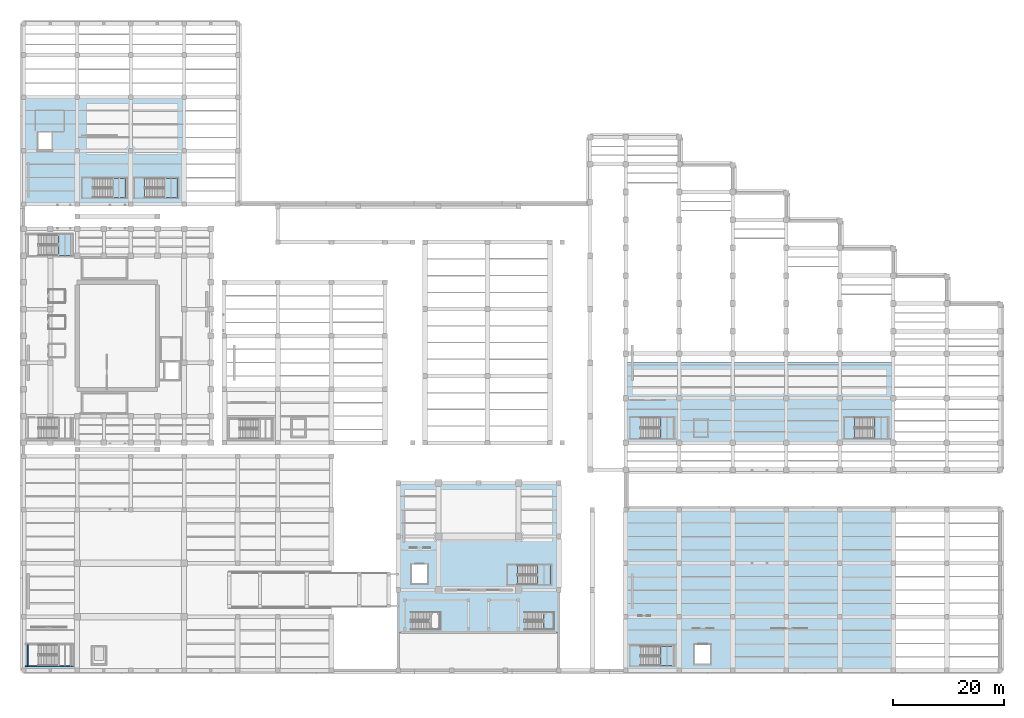
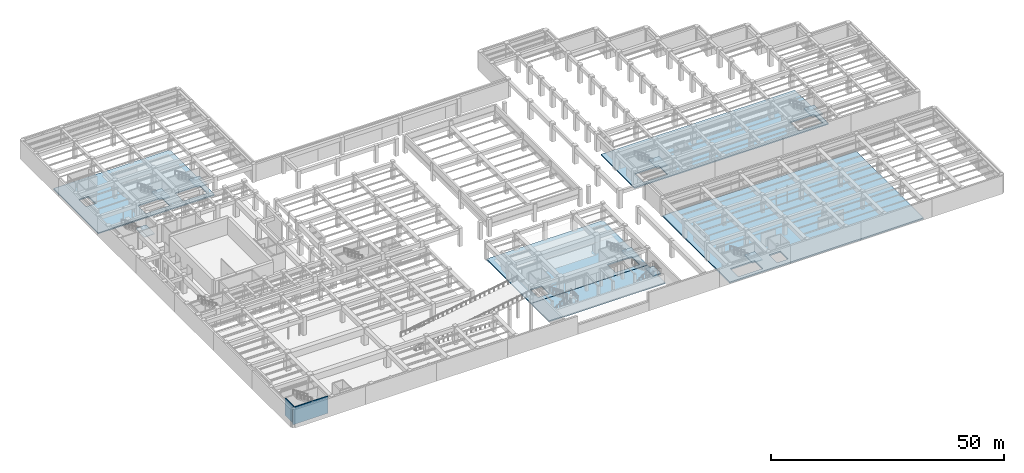
# One storey, part 22 of 45: 13 slabs, 2 walls, 8 elements without a shape of their own.
"""IFC4 building model written with IfcOpenShell, lengths in metres."""

from ifc_helpers import new_model, si_unit, direction, frame, frame_2d, origin, place, context, subcontext, project, spatial, polyline, rectangle, outline, extrude, material, layer, layer_set, type_object, element, aggregate, save


model = new_model("IFC4")

# Units and contexts
model_context = context("Model", 3, precision=1e-05, world=origin(), true_north=direction((0.0, 1.0)))
body_context = subcontext(model_context, "Body", "Model", "MODEL_VIEW")
ifc_project = project(units=[si_unit("LENGTHUNIT", "METRE"), si_unit("AREAUNIT", "SQUARE_METRE"), si_unit("VOLUMEUNIT", "CUBIC_METRE"), si_unit("PLANEANGLEUNIT", "RADIAN"), si_unit("MASSUNIT", "GRAM", prefix="KILO")], contexts=[model_context])

# Site, building, storey
site_placement = place(None, origin())
site = spatial("IfcSite", under=ifc_project, at=site_placement, CompositionType="ELEMENT")
building_placement = place(site_placement, origin())
building = spatial("IfcBuilding", under=site, at=building_placement, Name="Mavantir Sound Aquarium", CompositionType="ELEMENT")
storey_placement = place(building_placement, frame((0.0, 0.0, -4.800048828125)))
storey = spatial("IfcBuildingStorey", under=building, at=storey_placement, Name="B1", CompositionType="ELEMENT", Elevation=-4.800048828125)

# Slabs
ifc_material = material(Name="Concrete C40/50", Category="concrete")
ifc_layer_1 = layer(ifc_material, 0.300048828125, Name="Concrete C40/50")
ifc_layer_set_1 = layer_set([ifc_layer_1], Name="Concrete C40/50")
slab_type_1 = type_object("IfcSlabType", Name="SLB-ES-01", PredefinedType="FLOOR", material=ifc_layer_set_1)
slab_1_placement = place(storey_placement, frame((0.0, 0.0, -0.300048828125)))
element("IfcSlab", 1, at=slab_1_placement, inside=storey, type_object=slab_type_1, Name="B1 outdoor forecourt slab ES-01", PredefinedType="FLOOR", context=body_context, shape_type="SweptSolid", body=[
    extrude(outline(polyline([(67.199951171875, 6.800048828125), (96.0, 6.800048828125), (96.0, 14.35009765625), (67.199951171875, 14.35009765625), (67.199951171875, 6.800048828125)])), origin(), (0.0, 0.0, 1.0), 0.300048828125),
])
ifc_layer_2 = layer(ifc_material, 0.35009765625, Name="Concrete C40/50")
ifc_layer_set_2 = layer_set([ifc_layer_2], Name="Concrete C40/50")
slab_type_2 = type_object("IfcSlabType", Name="SLB-FS-02", PredefinedType="FLOOR", material=ifc_layer_set_2)
slab_2_placement = place(storey_placement, frame((0.0, 0.0, -0.349853515625)))
element("IfcSlab", 2, at=slab_2_placement, inside=storey, type_object=slab_type_2, Name="B1 structural slab FS-02 (V6)", PredefinedType="FLOOR", context=body_context, shape_type="SweptSolid", body=[
    extrude(outline(polyline([(156.0, 0.0), (156.0, 28.800048828125), (108.0, 28.800048828125), (108.0, 0.0), (156.0, 0.0)]), holes=[polyline([(110.64990234375, 0.85009765625), (116.64990234375, 0.85009765625), (116.64990234375, 4.300048828125), (110.64990234375, 4.300048828125), (110.64990234375, 0.85009765625)]), polyline([(120.39990234375, 1.199951171875), (123.199951171875, 1.199951171875), (123.199951171875, 4.60009765625), (120.39990234375, 4.60009765625), (120.39990234375, 1.199951171875)])]), origin(), (0.0, 0.0, 1.0), 0.349853515625),
])
ifc_layer_3 = layer(ifc_material, 0.300048828125, Name="Concrete C40/50")
ifc_layer_set_3 = layer_set([ifc_layer_3], Name="Concrete C40/50")
slab_type_3 = type_object("IfcSlabType", Name="SLB-FS-03", PredefinedType="FLOOR", material=ifc_layer_set_3)
slab_3_placement = place(storey_placement, frame((0.0, 0.0, -0.300048828125)))
element("IfcSlab", 3, at=slab_3_placement, inside=storey, type_object=slab_type_3, Name="B1 structural slab FS-03 (V7)", PredefinedType="FLOOR", context=body_context, shape_type="SweptSolid", body=[
    extrude(outline(polyline([(96.0, 14.39990234375), (96.0, 33.60009765625), (67.199951171875, 33.60009765625), (67.199951171875, 14.39990234375), (96.0, 14.39990234375)]), holes=[polyline([(88.60009765625, 15.39990234375), (94.60009765625, 15.39990234375), (94.60009765625, 18.85009765625), (88.60009765625, 18.85009765625), (88.60009765625, 15.39990234375)]), polyline([(69.60009765625, 15.60009765625), (72.39990234375, 15.60009765625), (72.39990234375, 19.0), (69.60009765625, 19.0), (69.60009765625, 15.60009765625)])]), origin(), (0.0, 0.0, 1.0), 0.300048828125),
])
slab_4_placement = place(storey_placement, frame((0.0, 0.0, -0.300048828125)))
element("IfcSlab", 4, at=slab_4_placement, inside=storey, type_object=slab_type_3, Name="B1 structural slab FS-03 (V4)", PredefinedType="FLOOR", context=body_context, shape_type="SweptSolid", body=[
    extrude(outline(polyline([(156.0, 40.800048828125), (156.0, 55.199951171875), (108.0, 55.199951171875), (108.0, 40.800048828125), (156.0, 40.800048828125)]), holes=[polyline([(110.64990234375, 41.60009765625), (116.64990234375, 41.60009765625), (116.64990234375, 45.35009765625), (110.64990234375, 45.35009765625), (110.64990234375, 41.60009765625)]), polyline([(149.050048828125, 41.60009765625), (155.050048828125, 41.60009765625), (155.050048828125, 45.35009765625), (149.050048828125, 45.35009765625), (149.050048828125, 41.60009765625)])]), origin(), (0.0, 0.0, 1.0), 0.300048828125),
])
slab_5_placement = place(storey_placement, frame((0.0, 0.0, -0.300048828125)))
element("IfcSlab", 5, at=slab_5_placement, inside=storey, type_object=slab_type_3, Name="B1 structural slab FS-03 (V5)", PredefinedType="FLOOR", context=body_context, shape_type="SweptSolid", body=[
    extrude(outline(polyline([(28.800048828125, 83.60009765625), (28.800048828125, 102.800048828125), (0.0, 102.800048828125), (0.0, 83.60009765625), (28.800048828125, 83.60009765625)]), holes=[polyline([(12.39990234375, 84.800048828125), (18.39990234375, 84.800048828125), (18.39990234375, 88.25), (12.39990234375, 88.25), (12.39990234375, 84.800048828125)]), polyline([(21.699951171875, 84.800048828125), (27.699951171875, 84.800048828125), (27.699951171875, 88.25), (21.699951171875, 88.25), (21.699951171875, 84.800048828125)]), polyline([(2.60009765625, 93.39990234375), (5.0, 93.39990234375), (5.0, 96.5), (2.60009765625, 96.5), (2.60009765625, 93.39990234375)])]), origin(), (0.0, 0.0, 1.0), 0.300048828125),
])

# Stair, slab
stair_type_1 = type_object("IfcStairType", Name="STR-1800-4800", PredefinedType="HALF_TURN_STAIR", material=ifc_material)
stair_1_placement = place(storey_placement, origin())
stair_1 = element("IfcStair", 6, at=stair_1_placement, inside=storey, type_object=stair_type_1, Name="B1 Protected exit stair ST2", PredefinedType="HALF_TURN_STAIR")
ifc_layer_4 = layer(ifc_material, 0.199951171875, Name="Concrete C40/50")
ifc_layer_set_4 = layer_set([ifc_layer_4], Name="Concrete C40/50")
slab_type_4 = type_object("IfcSlabType", Name="SLB-LND-360", PredefinedType="LANDING", material=ifc_layer_set_4)
slab_6_placement = place(storey_placement, frame((0.0, 0.0, 2.199951171875)))
slab_6 = element("IfcSlab", 7, at=slab_6_placement, type_object=slab_type_4, Name="ST2 landing 1", PredefinedType="LANDING", context=body_context, shape_type="SweptSolid", body=[
    extrude(outline(polyline([(6.1298828125, 74.39990234375), (8.64990234375, 74.39990234375), (8.64990234375, 78.14990234375), (6.1298828125, 78.14990234375), (6.1298828125, 74.39990234375)])), origin(), (0.0, 0.0, 1.0), 0.2001953125),
])
aggregate(stair_1, [slab_6])

stair_2_placement = place(storey_placement, origin())
stair_2 = element("IfcStair", 8, at=stair_2_placement, inside=storey, type_object=stair_type_1, Name="B1 Protected exit stair ST4", PredefinedType="HALF_TURN_STAIR")
slab_7_placement = place(storey_placement, frame((0.0, 0.0, 2.199951171875)))
slab_7 = element("IfcSlab", 9, at=slab_7_placement, type_object=slab_type_4, Name="ST4 landing 1", PredefinedType="LANDING", context=body_context, shape_type="SweptSolid", body=[
    extrude(outline(polyline([(114.1298828125, 41.60009765625), (116.64990234375, 41.60009765625), (116.64990234375, 45.35009765625), (114.1298828125, 45.35009765625), (114.1298828125, 41.60009765625)])), origin(), (0.0, 0.0, 1.0), 0.2001953125),
])
aggregate(stair_2, [slab_7])

stair_3_placement = place(storey_placement, origin())
stair_3 = element("IfcStair", 10, at=stair_3_placement, inside=storey, type_object=stair_type_1, Name="B1 Protected exit stair ST12", PredefinedType="HALF_TURN_STAIR")
slab_8_placement = place(storey_placement, frame((0.0, 0.0, 2.199951171875)))
slab_8 = element("IfcSlab", 11, at=slab_8_placement, type_object=slab_type_4, Name="ST12 landing 1", PredefinedType="LANDING", context=body_context, shape_type="SweptSolid", body=[
    extrude(outline(polyline([(152.530029296875, 41.60009765625), (155.050048828125, 41.60009765625), (155.050048828125, 45.35009765625), (152.530029296875, 45.35009765625), (152.530029296875, 41.60009765625)])), origin(), (0.0, 0.0, 1.0), 0.2001953125),
])
aggregate(stair_3, [slab_8])

stair_type_2 = type_object("IfcStairType", Name="STR-1650-4800", PredefinedType="HALF_TURN_STAIR", material=ifc_material)
stair_4_placement = place(storey_placement, origin())
stair_4 = element("IfcStair", 12, at=stair_4_placement, inside=storey, type_object=stair_type_2, Name="B1 Protected exit stair ST5", PredefinedType="HALF_TURN_STAIR")
slab_9_placement = place(storey_placement, frame((0.0, 0.0, 2.199951171875)))
slab_9 = element("IfcSlab", 13, at=slab_9_placement, type_object=slab_type_4, Name="ST5 landing 1", PredefinedType="LANDING", context=body_context, shape_type="SweptSolid", body=[
    extrude(outline(polyline([(15.8798828125, 84.800048828125), (18.39990234375, 84.800048828125), (18.39990234375, 88.25), (15.8798828125, 88.25), (15.8798828125, 84.800048828125)])), origin(), (0.0, 0.0, 1.0), 0.2001953125),
])
aggregate(stair_4, [slab_9])

stair_5_placement = place(storey_placement, origin())
stair_5 = element("IfcStair", 14, at=stair_5_placement, inside=storey, type_object=stair_type_2, Name="B1 Protected exit stair ST7", PredefinedType="HALF_TURN_STAIR")
slab_10_placement = place(storey_placement, frame((0.0, 0.0, 2.199951171875)))
slab_10 = element("IfcSlab", 15, at=slab_10_placement, type_object=slab_type_4, Name="ST7 landing 1", PredefinedType="LANDING", context=body_context, shape_type="SweptSolid", body=[
    extrude(outline(polyline([(25.179931640625, 84.800048828125), (27.699951171875, 84.800048828125), (27.699951171875, 88.25), (25.179931640625, 88.25), (25.179931640625, 84.800048828125)])), origin(), (0.0, 0.0, 1.0), 0.2001953125),
])
aggregate(stair_5, [slab_10])

stair_6_placement = place(storey_placement, origin())
stair_6 = element("IfcStair", 16, at=stair_6_placement, inside=storey, type_object=stair_type_2, Name="B1 Protected exit stair ST6", PredefinedType="HALF_TURN_STAIR")
slab_11_placement = place(storey_placement, frame((0.0, 0.0, 2.199951171875)))
slab_11 = element("IfcSlab", 17, at=slab_11_placement, type_object=slab_type_4, Name="ST6 landing 1", PredefinedType="LANDING", context=body_context, shape_type="SweptSolid", body=[
    extrude(outline(polyline([(114.1298828125, 0.85009765625), (116.64990234375, 0.85009765625), (116.64990234375, 4.300048828125), (114.1298828125, 4.300048828125), (114.1298828125, 0.85009765625)])), origin(), (0.0, 0.0, 1.0), 0.2001953125),
])
aggregate(stair_6, [slab_11])

stair_7_placement = place(storey_placement, origin())
stair_7 = element("IfcStair", 18, at=stair_7_placement, inside=storey, type_object=stair_type_2, Name="B1 Protected exit stair ST11", PredefinedType="HALF_TURN_STAIR")
slab_12_placement = place(storey_placement, frame((0.0, 0.0, 2.199951171875)))
slab_12 = element("IfcSlab", 19, at=slab_12_placement, type_object=slab_type_4, Name="ST11 landing 1", PredefinedType="LANDING", context=body_context, shape_type="SweptSolid", body=[
    extrude(outline(polyline([(92.080078125, 15.39990234375), (94.60009765625, 15.39990234375), (94.60009765625, 18.85009765625), (92.080078125, 18.85009765625), (92.080078125, 15.39990234375)])), origin(), (0.0, 0.0, 1.0), 0.2001953125),
])
aggregate(stair_7, [slab_12])

stair_type_3 = type_object("IfcStairType", Name="STR-1450-4800", PredefinedType="HALF_TURN_STAIR", material=ifc_material)
stair_8_placement = place(storey_placement, origin())
stair_8 = element("IfcStair", 20, at=stair_8_placement, inside=storey, type_object=stair_type_3, Name="B1 ST14", PredefinedType="HALF_TURN_STAIR")
slab_13_placement = place(storey_placement, frame((0.0, 0.0, 2.199951171875)))
slab_13 = element("IfcSlab", 21, at=slab_13_placement, type_object=slab_type_4, Name="ST14 landing 1", PredefinedType="LANDING", context=body_context, shape_type="SweptSolid", body=[
    extrude(outline(polyline([(93.2099609375, 7.25), (95.199951171875, 7.25), (95.199951171875, 10.449951171875), (93.2099609375, 10.449951171875), (93.2099609375, 7.25)])), origin(), (0.0, 0.0, 1.0), 0.2001953125),
])
aggregate(stair_8, [slab_13])

# Walls
ifc_layer_5 = layer(ifc_material, 0.25, Name="Concrete C40/50")
ifc_layer_set_5 = layer_set([ifc_layer_5], Name="Concrete C40/50")
wall_type = type_object("IfcWallType", Name="IW-SHAFT-250", PredefinedType="SHEAR", material=ifc_layer_set_5)
wall_1_placement = place(storey_placement, frame((0.25, 0.72509765625, 0.0), z_axis=(0.0, 0.0, 1.0), x_axis=(1.0, 0.0, 0.0)))
element("IfcWall", 22, at=wall_1_placement, inside=storey, type_object=wall_type, Name="B1 stair ST3 shaft wall S", PredefinedType="SHEAR", context=body_context, shape_type="SweptSolid", body=[
    extrude(rectangle(XDim=8.64990234375, YDim=0.25, at=frame_2d((4.324951171875, 0.0))), origin(), (0.0, 0.0, 1.0), 4.5),
])
wall_2_placement = place(storey_placement, frame((0.72509765625, 4.60009765625, 0.0), z_axis=(0.0, 0.0, 1.0), x_axis=(0.0, -1.0, 0.0)))
element("IfcWall", 23, at=wall_2_placement, inside=storey, type_object=wall_type, Name="B1 stair ST3 shaft wall W", PredefinedType="SHEAR", context=body_context, shape_type="SweptSolid", body=[
    extrude(rectangle(XDim=3.75, YDim=0.25, at=frame_2d((1.875, 0.0))), origin(), (0.0, 0.0, 1.0), 4.5),
])

save(model, "model.ifc")
